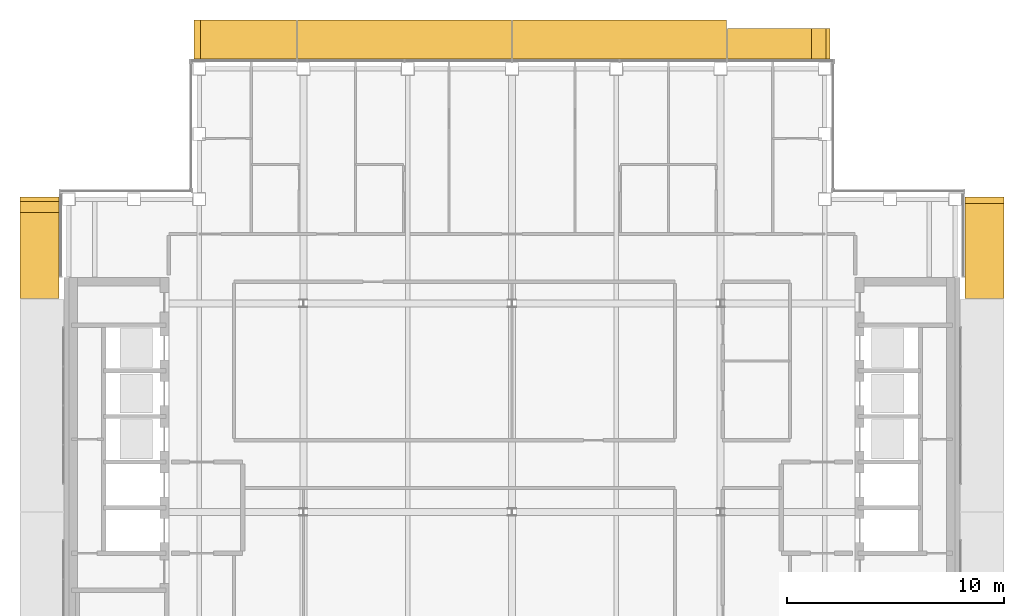
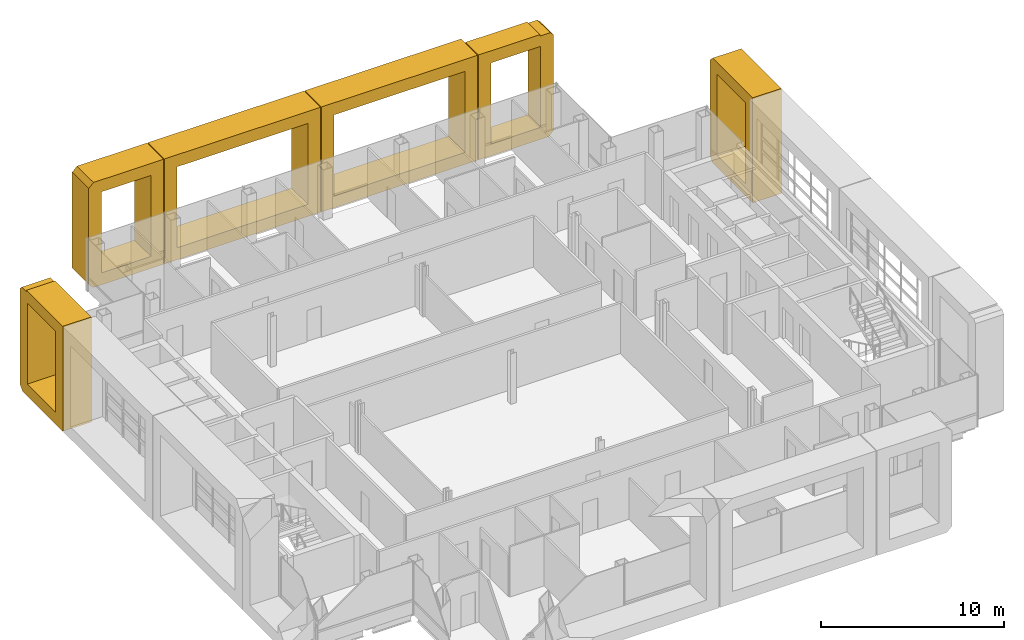
# One storey, part 20 of 21: 6 coverings.
"""IFC4 building model written with IfcOpenShell, lengths in metres."""

from ifc_helpers import new_model, si_unit, direction, frame, origin, place, context, subcontext, project, spatial, polyline, outline, extrude, material, type_object, element, save


model = new_model("IFC4")

# Units and contexts
model_context = context("Model", 3, precision=1e-05, world=origin(), true_north=direction((0.0, 1.0)))
body_context = subcontext(model_context, "Body", "Model", "MODEL_VIEW")
ifc_project = project(units=[si_unit("LENGTHUNIT", "METRE"), si_unit("AREAUNIT", "SQUARE_METRE"), si_unit("VOLUMEUNIT", "CUBIC_METRE"), si_unit("PLANEANGLEUNIT", "RADIAN"), si_unit("MASSUNIT", "GRAM", prefix="KILO")], contexts=[model_context])

# Site, building, storey
site_placement = place(None, origin())
site = spatial("IfcSite", under=ifc_project, at=site_placement, CompositionType="ELEMENT")
building_placement = place(site_placement, origin())
building = spatial("IfcBuilding", under=site, at=building_placement, Name="Cobrizo Arcos Hotel Tower", CompositionType="ELEMENT")
storey_placement = place(building_placement, frame((0.0, 0.0, 248.0)))
storey = spatial("IfcBuildingStorey", under=building, at=storey_placement, Name="L65", CompositionType="ELEMENT", Elevation=248.0)

# Coverings
ifc_material = material(Name="Aluminium 6063-T6 anodised bronze", Category="aluminium")
covering_type_1 = type_object("IfcCoveringType", Name="FIN-F 1400", PredefinedType="CLADDING", material=ifc_material)
covering_1_placement = place(storey_placement, frame((14.64990234375, 20.85009765625, 0.0), z_axis=(0.0, 1.0, 0.0), x_axis=(-1.0, 0.0, 0.0)))
element("IfcCovering", 1, at=covering_1_placement, inside=storey, type_object=covering_type_1, Name="Fin frame 367", PredefinedType="CLADDING", context=body_context, shape_type="SweptSolid", body=[
    extrude(outline(polyline([(4.72509765625, 7.0), (0.85205078125, 7.0), (0.85205078125, 6.89794921875), (0.197998046875, 6.89794921875), (0.0, 6.699951171875), (0.0, 0.300048828125), (0.300048828125, 0.0), (4.72509765625, 0.0), (4.72509765625, 7.0)]), holes=[polyline([(3.925048828125, 0.800048828125), (0.800048828125, 0.800048828125), (0.800048828125, 6.199951171875), (3.925048828125, 6.199951171875), (3.925048828125, 0.800048828125)])]), origin(), (0.0, 0.0, 1.0), 1.39990234375),
])
covering_type_2 = type_object("IfcCoveringType", Name="FIN-F 1800", PredefinedType="CLADDING", material=ifc_material)
for number, where, z_axis, x_axis, name in (
    (2, (9.875, 20.85009765625, 0.0), (0.0, 1.0, 0.0), (-1.0, 0.0, 0.0), "Fin frame 368"),
    (3, (-0.02490234375, 20.85009765625, 0.0), (0.0, 1.0, 0.0), (-1.0, 0.0, 0.0), "Fin frame 369"),
):
    element("IfcCovering", number, at=place(storey_placement, frame(where, z_axis=z_axis, x_axis=x_axis)), inside=storey, type_object=covering_type_2, Name=name, PredefinedType="CLADDING", context=body_context, shape_type="SweptSolid", body=[
        extrude(outline(polyline([(0.0, 7.0), (0.0, 0.0), (9.85009765625, 0.0), (9.85009765625, 7.0), (0.0, 7.0)]), holes=[polyline([(9.050048828125, 0.800048828125), (0.800048828125, 0.800048828125), (0.800048828125, 6.199951171875), (9.050048828125, 6.199951171875), (9.050048828125, 0.800048828125)])]), origin(), (0.0, 0.0, 1.0), 1.7998046875),
    ])
covering_2_placement = place(storey_placement, frame((-9.925048828125, 20.85009765625, 0.0), z_axis=(0.0, 1.0, 0.0), x_axis=(-1.0, 0.0, 0.0)))
element("IfcCovering", 4, at=covering_2_placement, inside=storey, type_object=covering_type_2, Name="Fin frame 370", PredefinedType="CLADDING", context=body_context, shape_type="SweptSolid", body=[
    extrude(outline(polyline([(0.0, 7.0), (0.0, 0.0), (4.425048828125, 0.0), (4.72509765625, 0.300048828125), (4.72509765625, 6.699951171875), (4.425048828125, 7.0), (0.0, 7.0)]), holes=[polyline([(3.925048828125, 0.800048828125), (0.800048828125, 0.800048828125), (0.800048828125, 6.199951171875), (3.925048828125, 6.199951171875), (3.925048828125, 0.800048828125)])]), origin(), (0.0, 0.0, 1.0), 1.7998046875),
])
covering_3_placement = place(storey_placement, frame((20.85009765625, 9.824951171875, 0.0), z_axis=(1.0, 0.0, 0.0), x_axis=(0.0, 1.0, 0.0)))
element("IfcCovering", 5, at=covering_3_placement, inside=storey, type_object=covering_type_2, Name="Fin frame 386", PredefinedType="CLADDING", context=body_context, shape_type="SweptSolid", body=[
    extrude(outline(polyline([(0.0, 7.0), (0.0, 0.0), (4.375, 0.0), (4.675048828125, 0.300048828125), (4.675048828125, 6.699951171875), (4.375, 7.0), (0.0, 7.0)]), holes=[polyline([(3.875, 0.800048828125), (0.800048828125, 0.800048828125), (0.800048828125, 6.199951171875), (3.875, 6.199951171875), (3.875, 0.800048828125)])]), origin(), (0.0, 0.0, 1.0), 1.7998046875),
])
covering_4_placement = place(storey_placement, frame((-20.85009765625, 14.5, 0.0), z_axis=(-1.0, 0.0, 0.0), x_axis=(0.0, -1.0, 0.0)))
element("IfcCovering", 6, at=covering_4_placement, inside=storey, type_object=covering_type_2, Name="Fin frame 427", PredefinedType="CLADDING", context=body_context, shape_type="SweptSolid", body=[
    extrude(outline(polyline([(4.675048828125, 7.0), (0.701904296875, 7.0), (0.701904296875, 6.89794921875), (0.197998046875, 6.89794921875), (0.0, 6.699951171875), (0.0, 0.300048828125), (0.300048828125, 0.0), (4.675048828125, 0.0), (4.675048828125, 7.0)]), holes=[polyline([(3.875, 0.800048828125), (0.800048828125, 0.800048828125), (0.800048828125, 6.199951171875), (3.875, 6.199951171875), (3.875, 0.800048828125)])]), origin(), (0.0, 0.0, 1.0), 1.7998046875),
])

save(model, "model.ifc")
